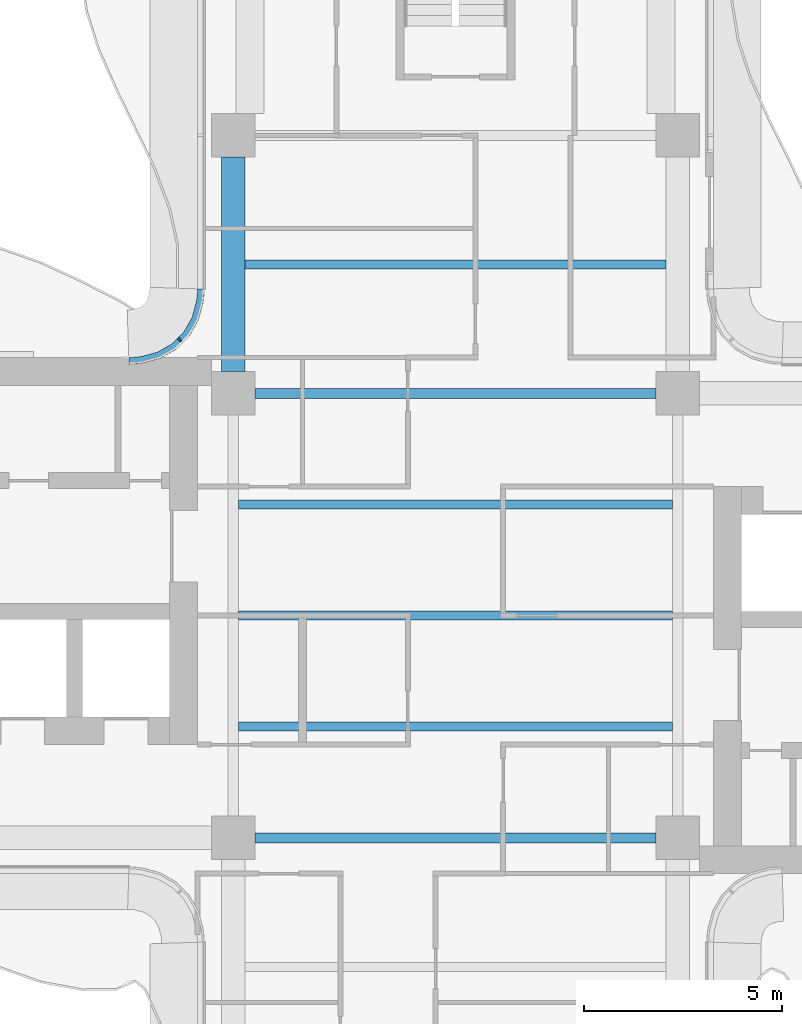
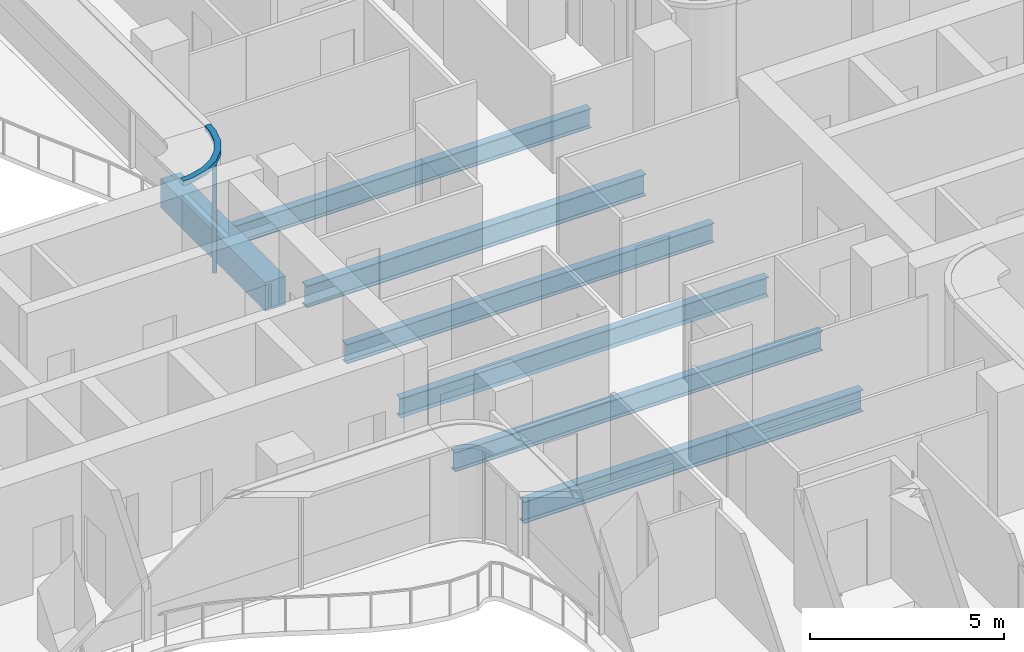
# One storey, part 4 of 16: 7 beams, 2 members, 1 element without a shape of its own.
"""IFC4 building model written with IfcOpenShell, lengths in metres."""

from ifc_helpers import new_model, si_unit, direction, frame, origin, origin_2d, place, context, subcontext, project, spatial, polyline, rectangle, i_section, outline, extrude, source, transform, mapped, material, layer, layer_set, material_profile, profile_set, type_object, element, aggregate, save


model = new_model("IFC4")

# Units and contexts
model_context = context("Model", 3, precision=1e-05, world=origin(), true_north=direction((0.0, 1.0)))
body_context = subcontext(model_context, "Body", "Model", "MODEL_VIEW")
ifc_project = project(units=[si_unit("LENGTHUNIT", "METRE"), si_unit("AREAUNIT", "SQUARE_METRE"), si_unit("VOLUMEUNIT", "CUBIC_METRE"), si_unit("PLANEANGLEUNIT", "RADIAN"), si_unit("MASSUNIT", "GRAM", prefix="KILO")], contexts=[model_context])

# Site, building, storey
site_placement = place(None, origin())
site = spatial("IfcSite", under=ifc_project, at=site_placement, CompositionType="ELEMENT")
building_placement = place(site_placement, origin())
building = spatial("IfcBuilding", under=site, at=building_placement, Name="Trellis Farm Tower", CompositionType="ELEMENT")
storey_placement = place(building_placement, frame((0.0, 0.0, 263.60009765625)))
storey = spatial("IfcBuildingStorey", under=building, at=storey_placement, Name="L59", CompositionType="ELEMENT", Elevation=263.60009765625)

# Beams
ifc_material_1 = material(Name="Steel S355", Category="steel")
ifc_material_profile_1 = material_profile(ifc_material_1, i_section(OverallWidth=0.22900390625, OverallDepth=0.6123046875, WebThickness=0.011962890625, FlangeThickness=0.01953125, FilletRadius=0.0126953125, at=origin_2d()), Name="UB 610x229x125")
ifc_profile_set_1 = profile_set([ifc_material_profile_1], Name="Steel S355")
beam_type_1 = type_object("IfcBeamType", Name="UB 610x229x125 joist", PredefinedType="JOIST", material=ifc_profile_set_1)
shared_shape_1 = source(origin(), body_context, "Body", "SweptSolid", [
    extrude(i_section(OverallWidth=0.22900390625, OverallDepth=0.6123046875, WebThickness=0.011962890625, FlangeThickness=0.01953125, FilletRadius=0.0126953125, at=origin_2d()), origin(), (0.0, 0.0, 1.0), 10.9462890625),
])
for number, where, z_axis, x_axis, name in (
    (1, (-5.47314453125, -2.800048828125, -0.506103515625), (1.0, 0.0, 0.0), (0.0, 1.0, 0.0), "Floor beam"),
    (2, (-5.47314453125, 0.0, -0.506103515625), (1.0, 0.0, 0.0), (0.0, 1.0, 0.0), "Floor beam"),
    (3, (-5.47314453125, 2.800048828125, -0.506103515625), (1.0, 0.0, 0.0), (0.0, 1.0, 0.0), "Floor beam"),
):
    element("IfcBeam", number, at=place(storey_placement, frame(where, z_axis=z_axis, x_axis=x_axis)), inside=storey, type_object=beam_type_1, Name=name, PredefinedType="JOIST", context=body_context, shape_type="MappedRepresentation", body=[
        mapped(shared_shape_1, transform((0.0, 0.0, 0.0))),
    ])
shared_shape_2 = source(origin(), body_context, "Body", "SweptSolid", [
    extrude(i_section(OverallWidth=0.22900390625, OverallDepth=0.6123046875, WebThickness=0.011962890625, FlangeThickness=0.01953125, FilletRadius=0.0126953125, at=origin_2d()), origin(), (0.0, 0.0, 1.0), 10.60009765625),
])
beam_1_placement = place(storey_placement, frame((-5.300048828125, 8.85009765625, -0.506103515625), z_axis=(1.0, 0.0, 0.0), x_axis=(0.0, 1.0, 0.0)))
element("IfcBeam", 4, at=beam_1_placement, inside=storey, type_object=beam_type_1, Name="Floor beam", PredefinedType="JOIST", context=body_context, shape_type="MappedRepresentation", body=[
    mapped(shared_shape_2, transform((0.0, 0.0, 0.0))),
])
ifc_material_profile_2 = material_profile(ifc_material_1, i_section(OverallWidth=0.253662109375, OverallDepth=0.68359375, WebThickness=0.012451171875, FlangeThickness=0.021728515625, FilletRadius=0.01513671875, at=origin_2d()), Name="UB 686x254x140")
ifc_profile_set_2 = profile_set([ifc_material_profile_2], Name="Steel S355")
beam_type_2 = type_object("IfcBeamType", Name="UB 686x254x140", PredefinedType="BEAM", material=ifc_profile_set_2)
shared_shape_3 = source(origin(), body_context, "Body", "SweptSolid", [
    extrude(i_section(OverallWidth=0.253662109375, OverallDepth=0.68359375, WebThickness=0.012451171875, FlangeThickness=0.021728515625, FilletRadius=0.01513671875, at=origin_2d()), origin(), (0.0, 0.0, 1.0), 10.10009765625),
])
for number, where, z_axis, x_axis, name in (
    (5, (-5.050048828125, -5.60009765625, -0.541748046875), (1.0, 0.0, 0.0), (0.0, 1.0, 0.0), "Girder"),
    (6, (-5.050048828125, 5.60009765625, -0.541748046875), (1.0, 0.0, 0.0), (0.0, 1.0, 0.0), "Girder"),
):
    element("IfcBeam", number, at=place(storey_placement, frame(where, z_axis=z_axis, x_axis=x_axis)), inside=storey, type_object=beam_type_2, Name=name, PredefinedType="BEAM", context=body_context, shape_type="MappedRepresentation", body=[
        mapped(shared_shape_3, transform((0.0, 0.0, 0.0))),
    ])
ifc_material_2 = material(Name="Concrete C60/75", Category="concrete")
ifc_material_profile_3 = material_profile(ifc_material_2, rectangle(XDim=0.60009765625, YDim=0.89990234375, at=origin_2d()), Name="RC spandrel beam 600x900 C60/75")
ifc_profile_set_3 = profile_set([ifc_material_profile_3], Name="Concrete C60/75")
beam_type_3 = type_object("IfcBeamType", Name="RC spandrel beam 600x900 C60/75", PredefinedType="SPANDREL", material=ifc_profile_set_3)
shared_shape_4 = source(origin(), body_context, "Body", "SweptSolid", [
    extrude(rectangle(XDim=0.60009765625, YDim=0.89990234375, at=origin_2d()), origin(), (0.0, 0.0, 1.0), 5.400146484375),
])
beam_2_placement = place(storey_placement, frame((-5.60009765625, 6.14990234375, -0.650146484375), z_axis=(0.0, 1.0, 0.0), x_axis=(-1.0, 0.0, 0.0)))
element("IfcBeam", 7, at=beam_2_placement, inside=storey, type_object=beam_type_3, Name="Girder", PredefinedType="SPANDREL", context=body_context, shape_type="MappedRepresentation", body=[
    mapped(shared_shape_4, transform((0.0, 0.0, 0.0))),
])

# Curtain wall, members
ifc_material_3 = material(Name="Aluminium and glass curtain wall", Category="aluminium")
ifc_layer_1 = layer(ifc_material_3, 0.166015625)
ifc_layer_set_1 = layer_set([ifc_layer_1], Name="WINTER GARDEN CURTAIN WALL CW3")
curtain_wall_type = type_object("IfcCurtainWallType", Name="WINTER GARDEN CURTAIN WALL CW3", PredefinedType="NOTDEFINED", material=ifc_layer_set_1)
curtain_wall_placement = place(storey_placement, origin())
curtain_wall = element("IfcCurtainWall", 8, at=curtain_wall_placement, inside=storey, type_object=curtain_wall_type, Name="CW3 004", PredefinedType="NOTDEFINED")
ifc_material_4 = material(Name="Aluminium extrusion 6063-T6", Category="aluminium")
ifc_material_profile_4 = material_profile(ifc_material_4, rectangle(XDim=0.050048828125, YDim=0.1201171875, at=origin_2d()), Name="MULLION 50x120")
ifc_profile_set_4 = profile_set([ifc_material_profile_4], Name="Aluminium extrusion 6063-T6")
member_type_1 = type_object("IfcMemberType", Name="CW3 MULLION 50x120", PredefinedType="MULLION", material=ifc_profile_set_4)
shared_shape_5 = source(origin(), body_context, "Body", "SweptSolid", [
    extrude(rectangle(XDim=0.050048828125, YDim=0.1201171875, at=origin_2d()), origin(), (0.0, 0.0, 1.0), 3.5498046875),
])
member_1_placement = place(storey_placement, frame((-6.953125, 6.953125, 0.0), z_axis=(0.0, 0.0, 1.0), x_axis=(-0.707106781187, -0.707106781187, 0.0)))
member_1 = element("IfcMember", 9, at=member_1_placement, type_object=member_type_1, Name="MU3 004-01", PredefinedType="MULLION", context=body_context, shape_type="MappedRepresentation", body=[
    mapped(shared_shape_5, transform((0.0, 0.0, 0.0))),
])
ifc_layer_2 = layer(ifc_material_4, 0.169921875)
ifc_layer_set_2 = layer_set([ifc_layer_2], Name="Aluminium extrusion 6063-T6")
member_type_2 = type_object("IfcMemberType", Name="CW3 TRANSOM 170x150", PredefinedType="USERDEFINED", material=ifc_layer_set_2)
shared_shape_6 = source(origin(), body_context, "Body", "SweptSolid", [
    extrude(outline(polyline([(-6.5, 8.2314453125), (-6.513916015625, 8.01953125), (-6.527587890625, 7.91552734375), (-6.63671875, 7.508544921875), (-6.846923828125, 7.144287109375), (-7.144287109375, 6.846923828125), (-7.508544921875, 6.63671875), (-7.91552734375, 6.527587890625), (-8.01953125, 6.513916015625), (-8.2314453125, 6.5), (-8.225830078125, 6.330078125), (-8.0029296875, 6.3447265625), (-7.88232421875, 6.360595703125), (-7.44287109375, 6.478271484375), (-7.0400390625, 6.7109375), (-6.7109375, 7.0400390625), (-6.478271484375, 7.44287109375), (-6.360595703125, 7.88232421875), (-6.3447265625, 8.0029296875), (-6.330078125, 8.225830078125), (-6.5, 8.2314453125)])), origin(), (0.0, 0.0, 1.0), 0.150146484375),
])
member_2_placement = place(storey_placement, frame((0.0, 0.0, 3.5498046875)))
member_2 = element("IfcMember", 10, at=member_2_placement, type_object=member_type_2, Name="TR3 004", ObjectType="TRANSOM", PredefinedType="USERDEFINED", context=body_context, shape_type="MappedRepresentation", body=[
    mapped(shared_shape_6, transform((0.0, 0.0, 0.0))),
])
aggregate(curtain_wall, [member_1, member_2])

save(model, "model.ifc")
